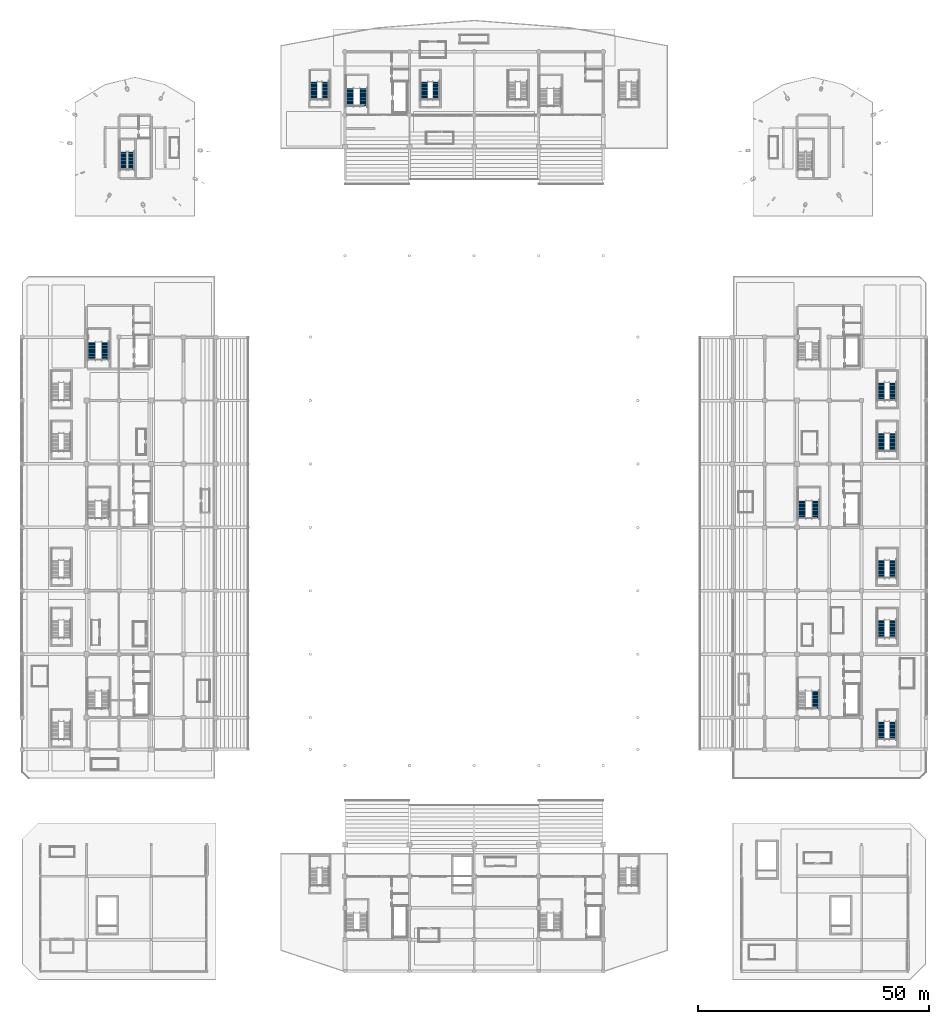
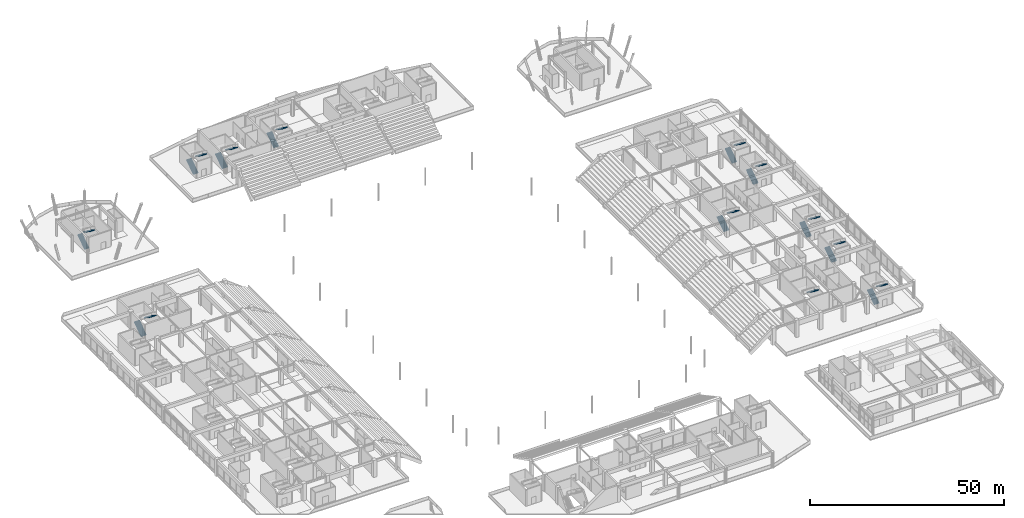
# One storey, part 101 of 117: 23 stair flights, 12 elements without a shape of their own.
"""IFC4 building model written with IfcOpenShell, lengths in metres."""

from ifc_helpers import new_model, si_unit, direction, frame, origin, place, context, subcontext, project, spatial, polyline, outline, extrude, material, type_object, element, aggregate, save


model = new_model("IFC4")

# Units and contexts
model_context = context("Model", 3, precision=1e-05, world=origin(), true_north=direction((0.0, 1.0)))
body_context = subcontext(model_context, "Body", "Model", "MODEL_VIEW")
ifc_project = project(units=[si_unit("LENGTHUNIT", "METRE"), si_unit("AREAUNIT", "SQUARE_METRE"), si_unit("VOLUMEUNIT", "CUBIC_METRE"), si_unit("PLANEANGLEUNIT", "RADIAN"), si_unit("MASSUNIT", "GRAM", prefix="KILO")], contexts=[model_context])

# Site, building, storey
site_placement = place(None, origin())
site = spatial("IfcSite", under=ifc_project, at=site_placement, CompositionType="ELEMENT")
building_placement = place(site_placement, origin())
building = spatial("IfcBuilding", under=site, at=building_placement, Name="Linyun Crest Stadium", CompositionType="ELEMENT")
storey_placement = place(building_placement, frame((0.0, 0.0, 6.0)))
storey = spatial("IfcBuildingStorey", under=building, at=storey_placement, Name="L02", CompositionType="ELEMENT", Elevation=6.0)

# Stair, stair flights
ifc_material_1 = material(Name="Concrete C40", Category="concrete")
stair_type = type_object("IfcStairType", Name="STA02", PredefinedType="HALF_TURN_STAIR", material=ifc_material_1)
stair_1_placement = place(storey_placement, origin())
stair_1 = element("IfcStair", 1, at=stair_1_placement, inside=storey, type_object=stair_type, Name="Evacuation stair STR-03-L02", PredefinedType="HALF_TURN_STAIR")
ifc_material_2 = material(Name="Concrete C40", Category="concrete")
stair_flight_type_1 = type_object("IfcStairFlightType", Name="STF01", PredefinedType="STRAIGHT", material=ifc_material_2)
stair_flight_1_placement = place(storey_placement, frame((-82.909912109375, 38.489990234375, 0.0), z_axis=(0.0, 0.0, 1.0), x_axis=(0.0, 1.0, 0.0)))
stair_flight_1 = element("IfcStairFlight", 2, at=stair_flight_1_placement, type_object=stair_flight_type_1, Name="STR-03-L02 flight 1", NumberOfRisers=16, NumberOfTreads=15, PredefinedType="STRAIGHT", RiserHeight=0.16875, TreadLength=0.25, context=body_context, shape_type="SweptSolid", body=[
    extrude(outline(polyline([(0.0, 0.0), (0.0, 0.168701171875), (0.25, 0.168701171875), (0.25, 0.33740234375), (0.5, 0.33740234375), (0.5, 0.50634765625), (0.75, 0.50634765625), (0.75, 0.675048828125), (1.0, 0.675048828125), (1.0, 0.84375), (1.25, 0.84375), (1.25, 1.012451171875), (1.5, 1.012451171875), (1.5, 1.18115234375), (1.75, 1.18115234375), (1.75, 1.35009765625), (2.0, 1.35009765625), (2.0, 1.518798828125), (2.25, 1.518798828125), (2.25, 1.6875), (2.5, 1.6875), (2.5, 1.856201171875), (2.75, 1.856201171875), (2.75, 2.02490234375), (3.0, 2.02490234375), (3.0, 2.19384765625), (3.25, 2.19384765625), (3.25, 2.362548828125), (3.5, 2.362548828125), (3.5, 2.53125), (3.75, 2.53125), (3.75, 2.699951171875), (3.75, 2.314208984375), (0.321533203125, 0.0), (0.0, 0.0)])), frame((0.0, 0.824951171875, 0.0), z_axis=(0.0, -1.0, 0.0), x_axis=(1.0, 0.0, 0.0)), (0.0, 0.0, 1.0), 1.64990234375),
])
stair_flight_2_placement = place(storey_placement, frame((-79.965087890625, 42.239990234375, 2.699951171875), z_axis=(0.0, 0.0, 1.0), x_axis=(0.0, -1.0, 0.0)))
stair_flight_2 = element("IfcStairFlight", 3, at=stair_flight_2_placement, type_object=stair_flight_type_1, Name="STR-03-L02 flight 2", NumberOfRisers=16, NumberOfTreads=15, PredefinedType="STRAIGHT", RiserHeight=0.16875, TreadLength=0.25, context=body_context, shape_type="SweptSolid", body=[
    extrude(outline(polyline([(0.0, 0.0), (0.0, 0.168701171875), (0.25, 0.168701171875), (0.25, 0.33740234375), (0.5, 0.33740234375), (0.5, 0.50634765625), (0.75, 0.50634765625), (0.75, 0.675048828125), (1.0, 0.675048828125), (1.0, 0.84375), (1.25, 0.84375), (1.25, 1.012451171875), (1.5, 1.012451171875), (1.5, 1.18115234375), (1.75, 1.18115234375), (1.75, 1.35009765625), (2.0, 1.35009765625), (2.0, 1.518798828125), (2.25, 1.518798828125), (2.25, 1.6875), (2.5, 1.6875), (2.5, 1.856201171875), (2.75, 1.856201171875), (2.75, 2.02490234375), (3.0, 2.02490234375), (3.0, 2.19384765625), (3.25, 2.19384765625), (3.25, 2.362548828125), (3.5, 2.362548828125), (3.5, 2.53125), (3.75, 2.53125), (3.75, 2.699951171875), (3.75, 2.314208984375), (0.321533203125, 0.0), (0.0, 0.0)])), frame((0.0, 0.824951171875, 0.0), z_axis=(0.0, -1.0, 0.0), x_axis=(1.0, 0.0, 0.0)), (0.0, 0.0, 1.0), 1.64990234375),
])
aggregate(stair_1, [stair_flight_1, stair_flight_2])

# Stair, stair flight
stair_2_placement = place(storey_placement, origin())
stair_2 = element("IfcStair", 4, at=stair_2_placement, inside=storey, type_object=stair_type, Name="Evacuation stair STR-04-L02", PredefinedType="HALF_TURN_STAIR")
stair_flight_3_placement = place(storey_placement, frame((74.034912109375, -33.385009765625, 2.699951171875), z_axis=(0.0, 0.0, 1.0), x_axis=(0.0, -1.0, 0.0)))
stair_flight_3 = element("IfcStairFlight", 5, at=stair_flight_3_placement, type_object=stair_flight_type_1, Name="STR-04-L02 flight 2", NumberOfRisers=16, NumberOfTreads=15, PredefinedType="STRAIGHT", RiserHeight=0.16875, TreadLength=0.25, context=body_context, shape_type="SweptSolid", body=[
    extrude(outline(polyline([(0.0, 0.0), (0.0, 0.168701171875), (0.25, 0.168701171875), (0.25, 0.33740234375), (0.5, 0.33740234375), (0.5, 0.50634765625), (0.75, 0.50634765625), (0.75, 0.675048828125), (1.0, 0.675048828125), (1.0, 0.84375), (1.25, 0.84375), (1.25, 1.012451171875), (1.5, 1.012451171875), (1.5, 1.18115234375), (1.75, 1.18115234375), (1.75, 1.35009765625), (2.0, 1.35009765625), (2.0, 1.518798828125), (2.25, 1.518798828125), (2.25, 1.6875), (2.5, 1.6875), (2.5, 1.856201171875), (2.75, 1.856201171875), (2.75, 2.02490234375), (3.0, 2.02490234375), (3.0, 2.19384765625), (3.25, 2.19384765625), (3.25, 2.362548828125), (3.5, 2.362548828125), (3.5, 2.53125), (3.75, 2.53125), (3.75, 2.699951171875), (3.75, 2.314208984375), (0.321533203125, 0.0), (0.0, 0.0)])), frame((0.0, 0.824951171875, 0.0), z_axis=(0.0, -1.0, 0.0), x_axis=(1.0, 0.0, 0.0)), (0.0, 0.0, 1.0), 1.64990234375),
])
aggregate(stair_2, [stair_flight_3])

# Stair, stair flights
stair_3_placement = place(storey_placement, origin())
stair_3 = element("IfcStair", 6, at=stair_3_placement, inside=storey, type_object=stair_type, Name="Evacuation stair STR-05-L02", PredefinedType="HALF_TURN_STAIR")
stair_flight_4_placement = place(storey_placement, frame((71.06494140625, 4.114990234375, 0.0), z_axis=(0.0, 0.0, 1.0), x_axis=(0.0, 1.0, 0.0)))
stair_flight_4 = element("IfcStairFlight", 7, at=stair_flight_4_placement, type_object=stair_flight_type_1, Name="STR-05-L02 flight 1", NumberOfRisers=16, NumberOfTreads=15, PredefinedType="STRAIGHT", RiserHeight=0.16875, TreadLength=0.25, context=body_context, shape_type="SweptSolid", body=[
    extrude(outline(polyline([(0.0, 0.0), (0.0, 0.168701171875), (0.25, 0.168701171875), (0.25, 0.33740234375), (0.5, 0.33740234375), (0.5, 0.50634765625), (0.75, 0.50634765625), (0.75, 0.675048828125), (1.0, 0.675048828125), (1.0, 0.84375), (1.25, 0.84375), (1.25, 1.012451171875), (1.5, 1.012451171875), (1.5, 1.18115234375), (1.75, 1.18115234375), (1.75, 1.35009765625), (2.0, 1.35009765625), (2.0, 1.518798828125), (2.25, 1.518798828125), (2.25, 1.6875), (2.5, 1.6875), (2.5, 1.856201171875), (2.75, 1.856201171875), (2.75, 2.02490234375), (3.0, 2.02490234375), (3.0, 2.19384765625), (3.25, 2.19384765625), (3.25, 2.362548828125), (3.5, 2.362548828125), (3.5, 2.53125), (3.75, 2.53125), (3.75, 2.699951171875), (3.75, 2.314208984375), (0.321533203125, 0.0), (0.0, 0.0)])), frame((0.0, 0.824951171875, 0.0), z_axis=(0.0, -1.0, 0.0), x_axis=(1.0, 0.0, 0.0)), (0.0, 0.0, 1.0), 1.64990234375),
])
stair_flight_5_placement = place(storey_placement, frame((74.034912109375, 7.864990234375, 2.699951171875), z_axis=(0.0, 0.0, 1.0), x_axis=(0.0, -1.0, 0.0)))
stair_flight_5 = element("IfcStairFlight", 8, at=stair_flight_5_placement, type_object=stair_flight_type_1, Name="STR-05-L02 flight 2", NumberOfRisers=16, NumberOfTreads=15, PredefinedType="STRAIGHT", RiserHeight=0.16875, TreadLength=0.25, context=body_context, shape_type="SweptSolid", body=[
    extrude(outline(polyline([(0.0, 0.0), (0.0, 0.168701171875), (0.25, 0.168701171875), (0.25, 0.33740234375), (0.5, 0.33740234375), (0.5, 0.50634765625), (0.75, 0.50634765625), (0.75, 0.675048828125), (1.0, 0.675048828125), (1.0, 0.84375), (1.25, 0.84375), (1.25, 1.012451171875), (1.5, 1.012451171875), (1.5, 1.18115234375), (1.75, 1.18115234375), (1.75, 1.35009765625), (2.0, 1.35009765625), (2.0, 1.518798828125), (2.25, 1.518798828125), (2.25, 1.6875), (2.5, 1.6875), (2.5, 1.856201171875), (2.75, 1.856201171875), (2.75, 2.02490234375), (3.0, 2.02490234375), (3.0, 2.19384765625), (3.25, 2.19384765625), (3.25, 2.362548828125), (3.5, 2.362548828125), (3.5, 2.53125), (3.75, 2.53125), (3.75, 2.699951171875), (3.75, 2.314208984375), (0.321533203125, 0.0), (0.0, 0.0)])), frame((0.0, 0.824951171875, 0.0), z_axis=(0.0, -1.0, 0.0), x_axis=(1.0, 0.0, 0.0)), (0.0, 0.0, 1.0), 1.64990234375),
])
aggregate(stair_3, [stair_flight_4, stair_flight_5])

stair_4_placement = place(storey_placement, origin())
stair_4 = element("IfcStair", 9, at=stair_4_placement, inside=storey, type_object=stair_type, Name="Evacuation stair STR-07-L02", PredefinedType="HALF_TURN_STAIR")
stair_flight_6_placement = place(storey_placement, frame((-26.9599609375, 93.489990234375, 0.0), z_axis=(0.0, 0.0, 1.0), x_axis=(0.0, 1.0, 0.0)))
stair_flight_6 = element("IfcStairFlight", 10, at=stair_flight_6_placement, type_object=stair_flight_type_1, Name="STR-07-L02 flight 1", NumberOfRisers=16, NumberOfTreads=15, PredefinedType="STRAIGHT", RiserHeight=0.16875, TreadLength=0.25, context=body_context, shape_type="SweptSolid", body=[
    extrude(outline(polyline([(0.0, 0.0), (0.0, 0.168701171875), (0.25, 0.168701171875), (0.25, 0.33740234375), (0.5, 0.33740234375), (0.5, 0.50634765625), (0.75, 0.50634765625), (0.75, 0.675048828125), (1.0, 0.675048828125), (1.0, 0.84375), (1.25, 0.84375), (1.25, 1.012451171875), (1.5, 1.012451171875), (1.5, 1.18115234375), (1.75, 1.18115234375), (1.75, 1.35009765625), (2.0, 1.35009765625), (2.0, 1.518798828125), (2.25, 1.518798828125), (2.25, 1.6875), (2.5, 1.6875), (2.5, 1.856201171875), (2.75, 1.856201171875), (2.75, 2.02490234375), (3.0, 2.02490234375), (3.0, 2.19384765625), (3.25, 2.19384765625), (3.25, 2.362548828125), (3.5, 2.362548828125), (3.5, 2.53125), (3.75, 2.53125), (3.75, 2.699951171875), (3.75, 2.314208984375), (0.321533203125, 0.0), (0.0, 0.0)])), frame((0.0, 0.824951171875, 0.0), z_axis=(0.0, -1.0, 0.0), x_axis=(1.0, 0.0, 0.0)), (0.0, 0.0, 1.0), 1.64990234375),
])
stair_flight_7_placement = place(storey_placement, frame((-23.965087890625, 97.239990234375, 2.699951171875), z_axis=(0.0, 0.0, 1.0), x_axis=(0.0, -1.0, 0.0)))
stair_flight_7 = element("IfcStairFlight", 11, at=stair_flight_7_placement, type_object=stair_flight_type_1, Name="STR-07-L02 flight 2", NumberOfRisers=16, NumberOfTreads=15, PredefinedType="STRAIGHT", RiserHeight=0.16875, TreadLength=0.25, context=body_context, shape_type="SweptSolid", body=[
    extrude(outline(polyline([(0.0, 0.0), (0.0, 0.168701171875), (0.25, 0.168701171875), (0.25, 0.33740234375), (0.5, 0.33740234375), (0.5, 0.50634765625), (0.75, 0.50634765625), (0.75, 0.675048828125), (1.0, 0.675048828125), (1.0, 0.84375), (1.25, 0.84375), (1.25, 1.012451171875), (1.5, 1.012451171875), (1.5, 1.18115234375), (1.75, 1.18115234375), (1.75, 1.35009765625), (2.0, 1.35009765625), (2.0, 1.518798828125), (2.25, 1.518798828125), (2.25, 1.6875), (2.5, 1.6875), (2.5, 1.856201171875), (2.75, 1.856201171875), (2.75, 2.02490234375), (3.0, 2.02490234375), (3.0, 2.19384765625), (3.25, 2.19384765625), (3.25, 2.362548828125), (3.5, 2.362548828125), (3.5, 2.53125), (3.75, 2.53125), (3.75, 2.699951171875), (3.75, 2.314208984375), (0.321533203125, 0.0), (0.0, 0.0)])), frame((0.0, 0.824951171875, 0.0), z_axis=(0.0, -1.0, 0.0), x_axis=(1.0, 0.0, 0.0)), (0.0, 0.0, 1.0), 1.64990234375),
])
aggregate(stair_4, [stair_flight_6, stair_flight_7])

stair_5_placement = place(storey_placement, origin())
stair_5 = element("IfcStair", 12, at=stair_5_placement, inside=storey, type_object=stair_type, Name="Vomitory evacuation stair STR-18-L02", PredefinedType="HALF_TURN_STAIR")
ifc_material_3 = material(Name="Concrete C40", Category="concrete")
stair_flight_type_2 = type_object("IfcStairFlightType", Name="STF02", PredefinedType="STRAIGHT", material=ifc_material_3)
stair_flight_8_placement = place(storey_placement, frame((88.215087890625, -43.780029296875, 0.0), z_axis=(0.0, 0.0, 1.0), x_axis=(0.0, 1.0, 0.0)))
stair_flight_8 = element("IfcStairFlight", 13, at=stair_flight_8_placement, type_object=stair_flight_type_2, Name="STR-18-L02 flight 1", NumberOfRisers=16, NumberOfTreads=15, PredefinedType="STRAIGHT", RiserHeight=0.16875, TreadLength=0.25, context=body_context, shape_type="SweptSolid", body=[
    extrude(outline(polyline([(0.0, 0.0), (0.0, 0.168701171875), (0.25, 0.168701171875), (0.25, 0.33740234375), (0.5, 0.33740234375), (0.5, 0.50634765625), (0.75, 0.50634765625), (0.75, 0.675048828125), (1.0, 0.675048828125), (1.0, 0.84375), (1.25, 0.84375), (1.25, 1.012451171875), (1.5, 1.012451171875), (1.5, 1.18115234375), (1.75, 1.18115234375), (1.75, 1.35009765625), (2.0, 1.35009765625), (2.0, 1.518798828125), (2.25, 1.518798828125), (2.25, 1.6875), (2.5, 1.6875), (2.5, 1.856201171875), (2.75, 1.856201171875), (2.75, 2.02490234375), (3.0, 2.02490234375), (3.0, 2.19384765625), (3.25, 2.19384765625), (3.25, 2.362548828125), (3.5, 2.362548828125), (3.5, 2.53125), (3.75, 2.53125), (3.75, 2.699951171875), (3.75, 2.314208984375), (0.321533203125, 0.0), (0.0, 0.0)])), frame((0.0, 0.77490234375, 0.0), z_axis=(0.0, -1.0, 0.0), x_axis=(1.0, 0.0, 0.0)), (0.0, 0.0, 1.0), 1.550048828125),
])
stair_flight_9_placement = place(storey_placement, frame((90.784912109375, -40.030029296875, 2.699951171875), z_axis=(0.0, 0.0, 1.0), x_axis=(0.0, -1.0, 0.0)))
stair_flight_9 = element("IfcStairFlight", 14, at=stair_flight_9_placement, type_object=stair_flight_type_2, Name="STR-18-L02 flight 2", NumberOfRisers=16, NumberOfTreads=15, PredefinedType="STRAIGHT", RiserHeight=0.16875, TreadLength=0.25, context=body_context, shape_type="SweptSolid", body=[
    extrude(outline(polyline([(0.0, 0.0), (0.0, 0.168701171875), (0.25, 0.168701171875), (0.25, 0.33740234375), (0.5, 0.33740234375), (0.5, 0.50634765625), (0.75, 0.50634765625), (0.75, 0.675048828125), (1.0, 0.675048828125), (1.0, 0.84375), (1.25, 0.84375), (1.25, 1.012451171875), (1.5, 1.012451171875), (1.5, 1.18115234375), (1.75, 1.18115234375), (1.75, 1.35009765625), (2.0, 1.35009765625), (2.0, 1.518798828125), (2.25, 1.518798828125), (2.25, 1.6875), (2.5, 1.6875), (2.5, 1.856201171875), (2.75, 1.856201171875), (2.75, 2.02490234375), (3.0, 2.02490234375), (3.0, 2.19384765625), (3.25, 2.19384765625), (3.25, 2.362548828125), (3.5, 2.362548828125), (3.5, 2.53125), (3.75, 2.53125), (3.75, 2.699951171875), (3.75, 2.314208984375), (0.321533203125, 0.0), (0.0, 0.0)])), frame((0.0, 0.77490234375, 0.0), z_axis=(0.0, -1.0, 0.0), x_axis=(1.0, 0.0, 0.0)), (0.0, 0.0, 1.0), 1.550048828125),
])
aggregate(stair_5, [stair_flight_8, stair_flight_9])

stair_6_placement = place(storey_placement, origin())
stair_6 = element("IfcStair", 15, at=stair_6_placement, inside=storey, type_object=stair_type, Name="Vomitory evacuation stair STR-19-L02", PredefinedType="HALF_TURN_STAIR")
stair_flight_10_placement = place(storey_placement, frame((88.215087890625, -21.780029296875, 0.0), z_axis=(0.0, 0.0, 1.0), x_axis=(0.0, 1.0, 0.0)))
stair_flight_10 = element("IfcStairFlight", 16, at=stair_flight_10_placement, type_object=stair_flight_type_2, Name="STR-19-L02 flight 1", NumberOfRisers=16, NumberOfTreads=15, PredefinedType="STRAIGHT", RiserHeight=0.16875, TreadLength=0.25, context=body_context, shape_type="SweptSolid", body=[
    extrude(outline(polyline([(0.0, 0.0), (0.0, 0.168701171875), (0.25, 0.168701171875), (0.25, 0.33740234375), (0.5, 0.33740234375), (0.5, 0.50634765625), (0.75, 0.50634765625), (0.75, 0.675048828125), (1.0, 0.675048828125), (1.0, 0.84375), (1.25, 0.84375), (1.25, 1.012451171875), (1.5, 1.012451171875), (1.5, 1.18115234375), (1.75, 1.18115234375), (1.75, 1.35009765625), (2.0, 1.35009765625), (2.0, 1.518798828125), (2.25, 1.518798828125), (2.25, 1.6875), (2.5, 1.6875), (2.5, 1.856201171875), (2.75, 1.856201171875), (2.75, 2.02490234375), (3.0, 2.02490234375), (3.0, 2.19384765625), (3.25, 2.19384765625), (3.25, 2.362548828125), (3.5, 2.362548828125), (3.5, 2.53125), (3.75, 2.53125), (3.75, 2.699951171875), (3.75, 2.314208984375), (0.321533203125, 0.0), (0.0, 0.0)])), frame((0.0, 0.77490234375, 0.0), z_axis=(0.0, -1.0, 0.0), x_axis=(1.0, 0.0, 0.0)), (0.0, 0.0, 1.0), 1.550048828125),
])
stair_flight_11_placement = place(storey_placement, frame((90.784912109375, -18.030029296875, 2.699951171875), z_axis=(0.0, 0.0, 1.0), x_axis=(0.0, -1.0, 0.0)))
stair_flight_11 = element("IfcStairFlight", 17, at=stair_flight_11_placement, type_object=stair_flight_type_2, Name="STR-19-L02 flight 2", NumberOfRisers=16, NumberOfTreads=15, PredefinedType="STRAIGHT", RiserHeight=0.16875, TreadLength=0.25, context=body_context, shape_type="SweptSolid", body=[
    extrude(outline(polyline([(0.0, 0.0), (0.0, 0.168701171875), (0.25, 0.168701171875), (0.25, 0.33740234375), (0.5, 0.33740234375), (0.5, 0.50634765625), (0.75, 0.50634765625), (0.75, 0.675048828125), (1.0, 0.675048828125), (1.0, 0.84375), (1.25, 0.84375), (1.25, 1.012451171875), (1.5, 1.012451171875), (1.5, 1.18115234375), (1.75, 1.18115234375), (1.75, 1.35009765625), (2.0, 1.35009765625), (2.0, 1.518798828125), (2.25, 1.518798828125), (2.25, 1.6875), (2.5, 1.6875), (2.5, 1.856201171875), (2.75, 1.856201171875), (2.75, 2.02490234375), (3.0, 2.02490234375), (3.0, 2.19384765625), (3.25, 2.19384765625), (3.25, 2.362548828125), (3.5, 2.362548828125), (3.5, 2.53125), (3.75, 2.53125), (3.75, 2.699951171875), (3.75, 2.314208984375), (0.321533203125, 0.0), (0.0, 0.0)])), frame((0.0, 0.77490234375, 0.0), z_axis=(0.0, -1.0, 0.0), x_axis=(1.0, 0.0, 0.0)), (0.0, 0.0, 1.0), 1.550048828125),
])
aggregate(stair_6, [stair_flight_10, stair_flight_11])

stair_7_placement = place(storey_placement, origin())
stair_7 = element("IfcStair", 18, at=stair_7_placement, inside=storey, type_object=stair_type, Name="Vomitory evacuation stair STR-20-L02", PredefinedType="HALF_TURN_STAIR")
stair_flight_12_placement = place(storey_placement, frame((88.215087890625, -8.780029296875, 0.0), z_axis=(0.0, 0.0, 1.0), x_axis=(0.0, 1.0, 0.0)))
stair_flight_12 = element("IfcStairFlight", 19, at=stair_flight_12_placement, type_object=stair_flight_type_2, Name="STR-20-L02 flight 1", NumberOfRisers=16, NumberOfTreads=15, PredefinedType="STRAIGHT", RiserHeight=0.16875, TreadLength=0.25, context=body_context, shape_type="SweptSolid", body=[
    extrude(outline(polyline([(0.0, 0.0), (0.0, 0.168701171875), (0.25, 0.168701171875), (0.25, 0.33740234375), (0.5, 0.33740234375), (0.5, 0.50634765625), (0.75, 0.50634765625), (0.75, 0.675048828125), (1.0, 0.675048828125), (1.0, 0.84375), (1.25, 0.84375), (1.25, 1.012451171875), (1.5, 1.012451171875), (1.5, 1.18115234375), (1.75, 1.18115234375), (1.75, 1.35009765625), (2.0, 1.35009765625), (2.0, 1.518798828125), (2.25, 1.518798828125), (2.25, 1.6875), (2.5, 1.6875), (2.5, 1.856201171875), (2.75, 1.856201171875), (2.75, 2.02490234375), (3.0, 2.02490234375), (3.0, 2.19384765625), (3.25, 2.19384765625), (3.25, 2.362548828125), (3.5, 2.362548828125), (3.5, 2.53125), (3.75, 2.53125), (3.75, 2.699951171875), (3.75, 2.314208984375), (0.321533203125, 0.0), (0.0, 0.0)])), frame((0.0, 0.77490234375, 0.0), z_axis=(0.0, -1.0, 0.0), x_axis=(1.0, 0.0, 0.0)), (0.0, 0.0, 1.0), 1.550048828125),
])
stair_flight_13_placement = place(storey_placement, frame((90.784912109375, -5.030029296875, 2.699951171875), z_axis=(0.0, 0.0, 1.0), x_axis=(0.0, -1.0, 0.0)))
stair_flight_13 = element("IfcStairFlight", 20, at=stair_flight_13_placement, type_object=stair_flight_type_2, Name="STR-20-L02 flight 2", NumberOfRisers=16, NumberOfTreads=15, PredefinedType="STRAIGHT", RiserHeight=0.16875, TreadLength=0.25, context=body_context, shape_type="SweptSolid", body=[
    extrude(outline(polyline([(0.0, 0.0), (0.0, 0.168701171875), (0.25, 0.168701171875), (0.25, 0.33740234375), (0.5, 0.33740234375), (0.5, 0.50634765625), (0.75, 0.50634765625), (0.75, 0.675048828125), (1.0, 0.675048828125), (1.0, 0.84375), (1.25, 0.84375), (1.25, 1.012451171875), (1.5, 1.012451171875), (1.5, 1.18115234375), (1.75, 1.18115234375), (1.75, 1.35009765625), (2.0, 1.35009765625), (2.0, 1.518798828125), (2.25, 1.518798828125), (2.25, 1.6875), (2.5, 1.6875), (2.5, 1.856201171875), (2.75, 1.856201171875), (2.75, 2.02490234375), (3.0, 2.02490234375), (3.0, 2.19384765625), (3.25, 2.19384765625), (3.25, 2.362548828125), (3.5, 2.362548828125), (3.5, 2.53125), (3.75, 2.53125), (3.75, 2.699951171875), (3.75, 2.314208984375), (0.321533203125, 0.0), (0.0, 0.0)])), frame((0.0, 0.77490234375, 0.0), z_axis=(0.0, -1.0, 0.0), x_axis=(1.0, 0.0, 0.0)), (0.0, 0.0, 1.0), 1.550048828125),
])
aggregate(stair_7, [stair_flight_12, stair_flight_13])

stair_8_placement = place(storey_placement, origin())
stair_8 = element("IfcStair", 21, at=stair_8_placement, inside=storey, type_object=stair_type, Name="Vomitory evacuation stair STR-21-L02", PredefinedType="HALF_TURN_STAIR")
stair_flight_14_placement = place(storey_placement, frame((88.215087890625, 18.719970703125, 0.0), z_axis=(0.0, 0.0, 1.0), x_axis=(0.0, 1.0, 0.0)))
stair_flight_14 = element("IfcStairFlight", 22, at=stair_flight_14_placement, type_object=stair_flight_type_2, Name="STR-21-L02 flight 1", NumberOfRisers=16, NumberOfTreads=15, PredefinedType="STRAIGHT", RiserHeight=0.16875, TreadLength=0.25, context=body_context, shape_type="SweptSolid", body=[
    extrude(outline(polyline([(0.0, 0.0), (0.0, 0.168701171875), (0.25, 0.168701171875), (0.25, 0.33740234375), (0.5, 0.33740234375), (0.5, 0.50634765625), (0.75, 0.50634765625), (0.75, 0.675048828125), (1.0, 0.675048828125), (1.0, 0.84375), (1.25, 0.84375), (1.25, 1.012451171875), (1.5, 1.012451171875), (1.5, 1.18115234375), (1.75, 1.18115234375), (1.75, 1.35009765625), (2.0, 1.35009765625), (2.0, 1.518798828125), (2.25, 1.518798828125), (2.25, 1.6875), (2.5, 1.6875), (2.5, 1.856201171875), (2.75, 1.856201171875), (2.75, 2.02490234375), (3.0, 2.02490234375), (3.0, 2.19384765625), (3.25, 2.19384765625), (3.25, 2.362548828125), (3.5, 2.362548828125), (3.5, 2.53125), (3.75, 2.53125), (3.75, 2.699951171875), (3.75, 2.314208984375), (0.321533203125, 0.0), (0.0, 0.0)])), frame((0.0, 0.77490234375, 0.0), z_axis=(0.0, -1.0, 0.0), x_axis=(1.0, 0.0, 0.0)), (0.0, 0.0, 1.0), 1.550048828125),
])
stair_flight_15_placement = place(storey_placement, frame((90.784912109375, 22.469970703125, 2.699951171875), z_axis=(0.0, 0.0, 1.0), x_axis=(0.0, -1.0, 0.0)))
stair_flight_15 = element("IfcStairFlight", 23, at=stair_flight_15_placement, type_object=stair_flight_type_2, Name="STR-21-L02 flight 2", NumberOfRisers=16, NumberOfTreads=15, PredefinedType="STRAIGHT", RiserHeight=0.16875, TreadLength=0.25, context=body_context, shape_type="SweptSolid", body=[
    extrude(outline(polyline([(0.0, 0.0), (0.0, 0.168701171875), (0.25, 0.168701171875), (0.25, 0.33740234375), (0.5, 0.33740234375), (0.5, 0.50634765625), (0.75, 0.50634765625), (0.75, 0.675048828125), (1.0, 0.675048828125), (1.0, 0.84375), (1.25, 0.84375), (1.25, 1.012451171875), (1.5, 1.012451171875), (1.5, 1.18115234375), (1.75, 1.18115234375), (1.75, 1.35009765625), (2.0, 1.35009765625), (2.0, 1.518798828125), (2.25, 1.518798828125), (2.25, 1.6875), (2.5, 1.6875), (2.5, 1.856201171875), (2.75, 1.856201171875), (2.75, 2.02490234375), (3.0, 2.02490234375), (3.0, 2.19384765625), (3.25, 2.19384765625), (3.25, 2.362548828125), (3.5, 2.362548828125), (3.5, 2.53125), (3.75, 2.53125), (3.75, 2.699951171875), (3.75, 2.314208984375), (0.321533203125, 0.0), (0.0, 0.0)])), frame((0.0, 0.77490234375, 0.0), z_axis=(0.0, -1.0, 0.0), x_axis=(1.0, 0.0, 0.0)), (0.0, 0.0, 1.0), 1.550048828125),
])
aggregate(stair_8, [stair_flight_14, stair_flight_15])

stair_9_placement = place(storey_placement, origin())
stair_9 = element("IfcStair", 24, at=stair_9_placement, inside=storey, type_object=stair_type, Name="Vomitory evacuation stair STR-22-L02", PredefinedType="HALF_TURN_STAIR")
stair_flight_16_placement = place(storey_placement, frame((88.215087890625, 29.719970703125, 0.0), z_axis=(0.0, 0.0, 1.0), x_axis=(0.0, 1.0, 0.0)))
stair_flight_16 = element("IfcStairFlight", 25, at=stair_flight_16_placement, type_object=stair_flight_type_2, Name="STR-22-L02 flight 1", NumberOfRisers=16, NumberOfTreads=15, PredefinedType="STRAIGHT", RiserHeight=0.16875, TreadLength=0.25, context=body_context, shape_type="SweptSolid", body=[
    extrude(outline(polyline([(0.0, 0.0), (0.0, 0.168701171875), (0.25, 0.168701171875), (0.25, 0.33740234375), (0.5, 0.33740234375), (0.5, 0.50634765625), (0.75, 0.50634765625), (0.75, 0.675048828125), (1.0, 0.675048828125), (1.0, 0.84375), (1.25, 0.84375), (1.25, 1.012451171875), (1.5, 1.012451171875), (1.5, 1.18115234375), (1.75, 1.18115234375), (1.75, 1.35009765625), (2.0, 1.35009765625), (2.0, 1.518798828125), (2.25, 1.518798828125), (2.25, 1.6875), (2.5, 1.6875), (2.5, 1.856201171875), (2.75, 1.856201171875), (2.75, 2.02490234375), (3.0, 2.02490234375), (3.0, 2.19384765625), (3.25, 2.19384765625), (3.25, 2.362548828125), (3.5, 2.362548828125), (3.5, 2.53125), (3.75, 2.53125), (3.75, 2.699951171875), (3.75, 2.314208984375), (0.321533203125, 0.0), (0.0, 0.0)])), frame((0.0, 0.77490234375, 0.0), z_axis=(0.0, -1.0, 0.0), x_axis=(1.0, 0.0, 0.0)), (0.0, 0.0, 1.0), 1.550048828125),
])
stair_flight_17_placement = place(storey_placement, frame((90.784912109375, 33.469970703125, 2.699951171875), z_axis=(0.0, 0.0, 1.0), x_axis=(0.0, -1.0, 0.0)))
stair_flight_17 = element("IfcStairFlight", 26, at=stair_flight_17_placement, type_object=stair_flight_type_2, Name="STR-22-L02 flight 2", NumberOfRisers=16, NumberOfTreads=15, PredefinedType="STRAIGHT", RiserHeight=0.16875, TreadLength=0.25, context=body_context, shape_type="SweptSolid", body=[
    extrude(outline(polyline([(0.0, 0.0), (0.0, 0.168701171875), (0.25, 0.168701171875), (0.25, 0.33740234375), (0.5, 0.33740234375), (0.5, 0.50634765625), (0.75, 0.50634765625), (0.75, 0.675048828125), (1.0, 0.675048828125), (1.0, 0.84375), (1.25, 0.84375), (1.25, 1.012451171875), (1.5, 1.012451171875), (1.5, 1.18115234375), (1.75, 1.18115234375), (1.75, 1.35009765625), (2.0, 1.35009765625), (2.0, 1.518798828125), (2.25, 1.518798828125), (2.25, 1.6875), (2.5, 1.6875), (2.5, 1.856201171875), (2.75, 1.856201171875), (2.75, 2.02490234375), (3.0, 2.02490234375), (3.0, 2.19384765625), (3.25, 2.19384765625), (3.25, 2.362548828125), (3.5, 2.362548828125), (3.5, 2.53125), (3.75, 2.53125), (3.75, 2.699951171875), (3.75, 2.314208984375), (0.321533203125, 0.0), (0.0, 0.0)])), frame((0.0, 0.77490234375, 0.0), z_axis=(0.0, -1.0, 0.0), x_axis=(1.0, 0.0, 0.0)), (0.0, 0.0, 1.0), 1.550048828125),
])
aggregate(stair_9, [stair_flight_16, stair_flight_17])

stair_10_placement = place(storey_placement, origin())
stair_10 = element("IfcStair", 27, at=stair_10_placement, inside=storey, type_object=stair_type, Name="Vomitory evacuation stair STR-23-L02", PredefinedType="HALF_TURN_STAIR")
stair_flight_18_placement = place(storey_placement, frame((-34.784912109375, 94.919921875, 0.0), z_axis=(0.0, 0.0, 1.0), x_axis=(0.0, 1.0, 0.0)))
stair_flight_18 = element("IfcStairFlight", 28, at=stair_flight_18_placement, type_object=stair_flight_type_2, Name="STR-23-L02 flight 1", NumberOfRisers=16, NumberOfTreads=15, PredefinedType="STRAIGHT", RiserHeight=0.16875, TreadLength=0.25, context=body_context, shape_type="SweptSolid", body=[
    extrude(outline(polyline([(0.0, 0.0), (0.0, 0.168701171875), (0.25, 0.168701171875), (0.25, 0.33740234375), (0.5, 0.33740234375), (0.5, 0.50634765625), (0.75, 0.50634765625), (0.75, 0.675048828125), (1.0, 0.675048828125), (1.0, 0.84375), (1.25, 0.84375), (1.25, 1.012451171875), (1.5, 1.012451171875), (1.5, 1.18115234375), (1.75, 1.18115234375), (1.75, 1.35009765625), (2.0, 1.35009765625), (2.0, 1.518798828125), (2.25, 1.518798828125), (2.25, 1.6875), (2.5, 1.6875), (2.5, 1.856201171875), (2.75, 1.856201171875), (2.75, 2.02490234375), (3.0, 2.02490234375), (3.0, 2.19384765625), (3.25, 2.19384765625), (3.25, 2.362548828125), (3.5, 2.362548828125), (3.5, 2.53125), (3.75, 2.53125), (3.75, 2.699951171875), (3.75, 2.314208984375), (0.321533203125, 0.0), (0.0, 0.0)])), frame((0.0, 0.77490234375, 0.0), z_axis=(0.0, -1.0, 0.0), x_axis=(1.0, 0.0, 0.0)), (0.0, 0.0, 1.0), 1.550048828125),
])
stair_flight_19_placement = place(storey_placement, frame((-32.215087890625, 98.669921875, 2.699951171875), z_axis=(0.0, 0.0, 1.0), x_axis=(0.0, -1.0, 0.0)))
stair_flight_19 = element("IfcStairFlight", 29, at=stair_flight_19_placement, type_object=stair_flight_type_2, Name="STR-23-L02 flight 2", NumberOfRisers=16, NumberOfTreads=15, PredefinedType="STRAIGHT", RiserHeight=0.16875, TreadLength=0.25, context=body_context, shape_type="SweptSolid", body=[
    extrude(outline(polyline([(0.0, 0.0), (0.0, 0.168701171875), (0.25, 0.168701171875), (0.25, 0.33740234375), (0.5, 0.33740234375), (0.5, 0.50634765625), (0.75, 0.50634765625), (0.75, 0.675048828125), (1.0, 0.675048828125), (1.0, 0.84375), (1.25, 0.84375), (1.25, 1.012451171875), (1.5, 1.012451171875), (1.5, 1.18115234375), (1.75, 1.18115234375), (1.75, 1.35009765625), (2.0, 1.35009765625), (2.0, 1.518798828125), (2.25, 1.518798828125), (2.25, 1.6875), (2.5, 1.6875), (2.5, 1.856201171875), (2.75, 1.856201171875), (2.75, 2.02490234375), (3.0, 2.02490234375), (3.0, 2.19384765625), (3.25, 2.19384765625), (3.25, 2.362548828125), (3.5, 2.362548828125), (3.5, 2.53125), (3.75, 2.53125), (3.75, 2.699951171875), (3.75, 2.314208984375), (0.321533203125, 0.0), (0.0, 0.0)])), frame((0.0, 0.77490234375, 0.0), z_axis=(0.0, -1.0, 0.0), x_axis=(1.0, 0.0, 0.0)), (0.0, 0.0, 1.0), 1.550048828125),
])
aggregate(stair_10, [stair_flight_18, stair_flight_19])

stair_11_placement = place(storey_placement, origin())
stair_11 = element("IfcStair", 30, at=stair_11_placement, inside=storey, type_object=stair_type, Name="Vomitory evacuation stair STR-24-L02", PredefinedType="HALF_TURN_STAIR")
stair_flight_20_placement = place(storey_placement, frame((-10.784912109375, 94.919921875, 0.0), z_axis=(0.0, 0.0, 1.0), x_axis=(0.0, 1.0, 0.0)))
stair_flight_20 = element("IfcStairFlight", 31, at=stair_flight_20_placement, type_object=stair_flight_type_2, Name="STR-24-L02 flight 1", NumberOfRisers=16, NumberOfTreads=15, PredefinedType="STRAIGHT", RiserHeight=0.16875, TreadLength=0.25, context=body_context, shape_type="SweptSolid", body=[
    extrude(outline(polyline([(0.0, 0.0), (0.0, 0.168701171875), (0.25, 0.168701171875), (0.25, 0.33740234375), (0.5, 0.33740234375), (0.5, 0.50634765625), (0.75, 0.50634765625), (0.75, 0.675048828125), (1.0, 0.675048828125), (1.0, 0.84375), (1.25, 0.84375), (1.25, 1.012451171875), (1.5, 1.012451171875), (1.5, 1.18115234375), (1.75, 1.18115234375), (1.75, 1.35009765625), (2.0, 1.35009765625), (2.0, 1.518798828125), (2.25, 1.518798828125), (2.25, 1.6875), (2.5, 1.6875), (2.5, 1.856201171875), (2.75, 1.856201171875), (2.75, 2.02490234375), (3.0, 2.02490234375), (3.0, 2.19384765625), (3.25, 2.19384765625), (3.25, 2.362548828125), (3.5, 2.362548828125), (3.5, 2.53125), (3.75, 2.53125), (3.75, 2.699951171875), (3.75, 2.314208984375), (0.321533203125, 0.0), (0.0, 0.0)])), frame((0.0, 0.77490234375, 0.0), z_axis=(0.0, -1.0, 0.0), x_axis=(1.0, 0.0, 0.0)), (0.0, 0.0, 1.0), 1.550048828125),
])
stair_flight_21_placement = place(storey_placement, frame((-8.215087890625, 98.669921875, 2.699951171875), z_axis=(0.0, 0.0, 1.0), x_axis=(0.0, -1.0, 0.0)))
stair_flight_21 = element("IfcStairFlight", 32, at=stair_flight_21_placement, type_object=stair_flight_type_2, Name="STR-24-L02 flight 2", NumberOfRisers=16, NumberOfTreads=15, PredefinedType="STRAIGHT", RiserHeight=0.16875, TreadLength=0.25, context=body_context, shape_type="SweptSolid", body=[
    extrude(outline(polyline([(0.0, 0.0), (0.0, 0.168701171875), (0.25, 0.168701171875), (0.25, 0.33740234375), (0.5, 0.33740234375), (0.5, 0.50634765625), (0.75, 0.50634765625), (0.75, 0.675048828125), (1.0, 0.675048828125), (1.0, 0.84375), (1.25, 0.84375), (1.25, 1.012451171875), (1.5, 1.012451171875), (1.5, 1.18115234375), (1.75, 1.18115234375), (1.75, 1.35009765625), (2.0, 1.35009765625), (2.0, 1.518798828125), (2.25, 1.518798828125), (2.25, 1.6875), (2.5, 1.6875), (2.5, 1.856201171875), (2.75, 1.856201171875), (2.75, 2.02490234375), (3.0, 2.02490234375), (3.0, 2.19384765625), (3.25, 2.19384765625), (3.25, 2.362548828125), (3.5, 2.362548828125), (3.5, 2.53125), (3.75, 2.53125), (3.75, 2.699951171875), (3.75, 2.314208984375), (0.321533203125, 0.0), (0.0, 0.0)])), frame((0.0, 0.77490234375, 0.0), z_axis=(0.0, -1.0, 0.0), x_axis=(1.0, 0.0, 0.0)), (0.0, 0.0, 1.0), 1.550048828125),
])
aggregate(stair_11, [stair_flight_20, stair_flight_21])

stair_12_placement = place(storey_placement, origin())
stair_12 = element("IfcStair", 33, at=stair_12_placement, inside=storey, type_object=stair_type, Name="Evacuation stair STR-11-L02", PredefinedType="HALF_TURN_STAIR")
ifc_material_4 = material(Name="Concrete C40", Category="concrete")
stair_flight_type_3 = type_object("IfcStairFlightType", Name="STF03", PredefinedType="STRAIGHT", material=ifc_material_4)
stair_flight_22_placement = place(storey_placement, frame((-76.06005859375, 79.739990234375, 0.0), z_axis=(0.0, 0.0, 1.0), x_axis=(0.0, 1.0, 0.0)))
stair_flight_22 = element("IfcStairFlight", 34, at=stair_flight_22_placement, type_object=stair_flight_type_3, Name="STR-11-L02 flight 1", NumberOfRisers=16, NumberOfTreads=15, PredefinedType="STRAIGHT", RiserHeight=0.16875, TreadLength=0.25, context=body_context, shape_type="SweptSolid", body=[
    extrude(outline(polyline([(0.0, 0.0), (0.0, 0.168701171875), (0.25, 0.168701171875), (0.25, 0.33740234375), (0.5, 0.33740234375), (0.5, 0.50634765625), (0.75, 0.50634765625), (0.75, 0.675048828125), (1.0, 0.675048828125), (1.0, 0.84375), (1.25, 0.84375), (1.25, 1.012451171875), (1.5, 1.012451171875), (1.5, 1.18115234375), (1.75, 1.18115234375), (1.75, 1.35009765625), (2.0, 1.35009765625), (2.0, 1.518798828125), (2.25, 1.518798828125), (2.25, 1.6875), (2.5, 1.6875), (2.5, 1.856201171875), (2.75, 1.856201171875), (2.75, 2.02490234375), (3.0, 2.02490234375), (3.0, 2.19384765625), (3.25, 2.19384765625), (3.25, 2.362548828125), (3.5, 2.362548828125), (3.5, 2.53125), (3.75, 2.53125), (3.75, 2.699951171875), (3.75, 2.326171875), (0.3037109375, 0.0), (0.0, 0.0)])), frame((0.0, 0.699951171875, 0.0), z_axis=(0.0, -1.0, 0.0), x_axis=(1.0, 0.0, 0.0)), (0.0, 0.0, 1.0), 1.39990234375),
])
stair_flight_23_placement = place(storey_placement, frame((-74.340087890625, 83.489990234375, 2.699951171875), z_axis=(0.0, 0.0, 1.0), x_axis=(0.0, -1.0, 0.0)))
stair_flight_23 = element("IfcStairFlight", 35, at=stair_flight_23_placement, type_object=stair_flight_type_3, Name="STR-11-L02 flight 2", NumberOfRisers=16, NumberOfTreads=15, PredefinedType="STRAIGHT", RiserHeight=0.16875, TreadLength=0.25, context=body_context, shape_type="SweptSolid", body=[
    extrude(outline(polyline([(0.0, 0.0), (0.0, 0.168701171875), (0.25, 0.168701171875), (0.25, 0.33740234375), (0.5, 0.33740234375), (0.5, 0.50634765625), (0.75, 0.50634765625), (0.75, 0.675048828125), (1.0, 0.675048828125), (1.0, 0.84375), (1.25, 0.84375), (1.25, 1.012451171875), (1.5, 1.012451171875), (1.5, 1.18115234375), (1.75, 1.18115234375), (1.75, 1.35009765625), (2.0, 1.35009765625), (2.0, 1.518798828125), (2.25, 1.518798828125), (2.25, 1.6875), (2.5, 1.6875), (2.5, 1.856201171875), (2.75, 1.856201171875), (2.75, 2.02490234375), (3.0, 2.02490234375), (3.0, 2.19384765625), (3.25, 2.19384765625), (3.25, 2.362548828125), (3.5, 2.362548828125), (3.5, 2.53125), (3.75, 2.53125), (3.75, 2.699951171875), (3.75, 2.326171875), (0.3037109375, 0.0), (0.0, 0.0)])), frame((0.0, 0.699951171875, 0.0), z_axis=(0.0, -1.0, 0.0), x_axis=(1.0, 0.0, 0.0)), (0.0, 0.0, 1.0), 1.39990234375),
])
aggregate(stair_12, [stair_flight_22, stair_flight_23])

save(model, "model.ifc")
